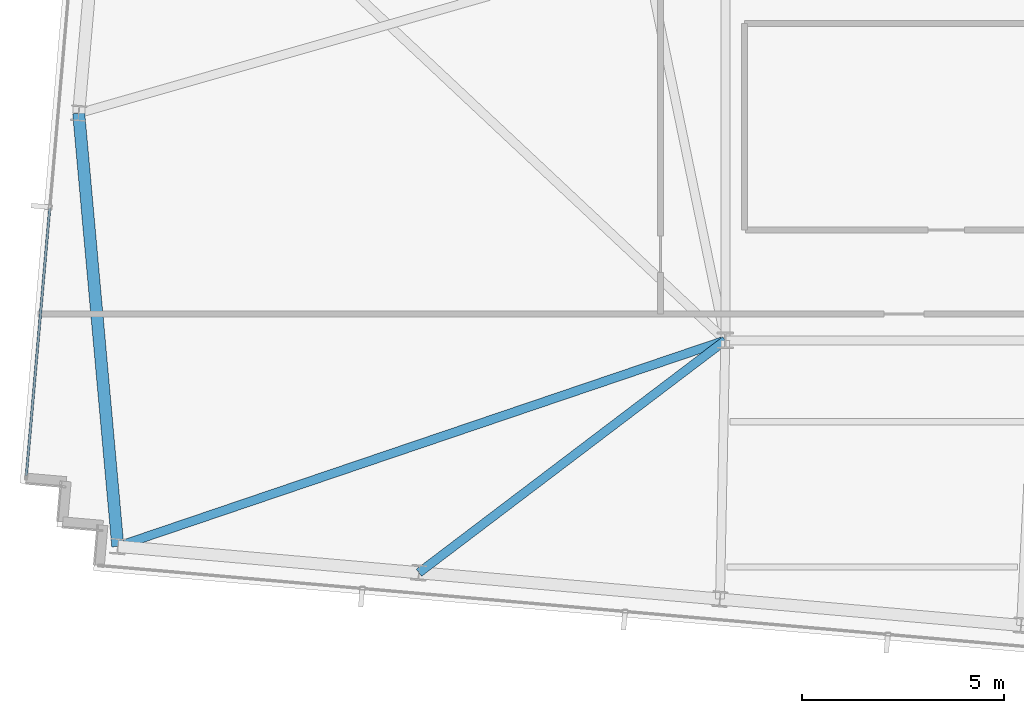
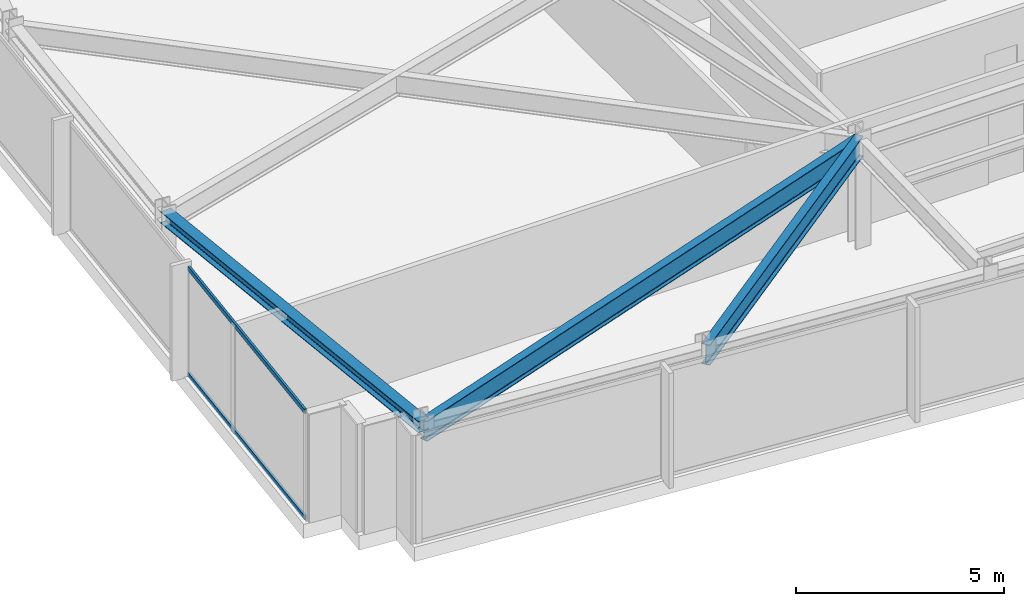
# One storey, part 4 of 32: 3 beams, 2 members, 1 element without a shape of its own.
"""IFC4 building model written with IfcOpenShell, lengths in metres."""

from ifc_helpers import new_model, si_unit, direction, frame, origin, origin_2d, place, context, subcontext, project, spatial, hollow_rectangle, i_section, extrude, material, material_profile, profile_set, type_object, element, aggregate, save


model = new_model("IFC4")

# Units and contexts
model_context = context("Model", 3, precision=1e-05, world=origin(), true_north=direction((0.0, 1.0)))
body_context = subcontext(model_context, "Body", "Model", "MODEL_VIEW")
ifc_project = project(units=[si_unit("LENGTHUNIT", "METRE"), si_unit("AREAUNIT", "SQUARE_METRE"), si_unit("VOLUMEUNIT", "CUBIC_METRE"), si_unit("PLANEANGLEUNIT", "RADIAN"), si_unit("MASSUNIT", "GRAM", prefix="KILO")], contexts=[model_context])

# Site, building, storey
site_placement = place(None, origin())
site = spatial("IfcSite", under=ifc_project, at=site_placement, CompositionType="ELEMENT")
building_placement = place(site_placement, origin())
building = spatial("IfcBuilding", under=site, at=building_placement, Name="Yelkora Congress Tower", CompositionType="ELEMENT")
storey_placement = place(building_placement, frame((0.0, 0.0, 259.10009765625)))
storey = spatial("IfcBuildingStorey", under=building, at=storey_placement, Name="L72", CompositionType="ELEMENT", Elevation=259.10009765625)

# Beams
ifc_material_1 = material(Name="Steel S355J2", Category="steel")
ifc_material_profile_1 = material_profile(ifc_material_1, i_section(OverallWidth=0.219970703125, OverallDepth=0.60009765625, WebThickness=0.011962890625, FlangeThickness=0.01904296875, FilletRadius=0.02392578125, at=origin_2d()), Name="IPE 600")
ifc_profile_set_1 = profile_set([ifc_material_profile_1], Name="Steel S355J2")
beam_type_1 = type_object("IfcBeamType", Name="BM-GIRD-IPE600", PredefinedType="BEAM", material=ifc_profile_set_1)
beam_1_placement = place(storey_placement, frame((7.998046875, 20.097900390625, 2.8798828125), z_axis=(0.947007090502, 0.321212656257, 0.0), x_axis=(-0.321212656257, 0.947007090502, 0.0)))
element("IfcBeam", 1, at=beam_1_placement, inside=storey, type_object=beam_type_1, Name="L72 Primary Frame Girder S01", PredefinedType="BEAM", context=body_context, shape_type="SweptSolid", body=[
    extrude(i_section(OverallWidth=0.219970703125, OverallDepth=0.60009765625, WebThickness=0.011962890625, FlangeThickness=0.01904296875, FilletRadius=0.02392578125, at=origin_2d()), origin(), (0.0, 0.0, 1.0), 15.8837890625),
])
beam_2_placement = place(storey_placement, frame((15.452880859375, 19.445556640625, 2.8798828125), z_axis=(0.79676107913, 0.6042944504, 0.0), x_axis=(-0.6042944504, 0.79676107913, 0.0)))
element("IfcBeam", 2, at=beam_2_placement, inside=storey, type_object=beam_type_1, Name="L72 Primary Frame Girder S02", PredefinedType="BEAM", context=body_context, shape_type="SweptSolid", body=[
    extrude(i_section(OverallWidth=0.219970703125, OverallDepth=0.60009765625, WebThickness=0.011962890625, FlangeThickness=0.01904296875, FilletRadius=0.02392578125, at=origin_2d()), origin(), (0.0, 0.0, 1.0), 9.5224609375),
])
ifc_material_profile_2 = material_profile(ifc_material_1, i_section(OverallWidth=0.300048828125, OverallDepth=0.340087890625, WebThickness=0.011962890625, FlangeThickness=0.021484375, FilletRadius=0.027099609375, at=origin_2d()), Name="HEB 340")
ifc_profile_set_2 = profile_set([ifc_material_profile_2], Name="Steel S355J2")
beam_type_2 = type_object("IfcBeamType", Name="BM-SPAN-HEB340", PredefinedType="SPANDREL", material=ifc_profile_set_2)
beam_3_placement = place(storey_placement, frame((7.029052734375, 30.822998046875, 3.010009765625), z_axis=(0.08998177561, -0.995943412076, 0.0), x_axis=(0.995943412076, 0.08998177561, 0.0)))
element("IfcBeam", 3, at=beam_3_placement, inside=storey, type_object=beam_type_2, Name="L72 Perimeter Beam 15", PredefinedType="SPANDREL", context=body_context, shape_type="SweptSolid", body=[
    extrude(i_section(OverallWidth=0.300048828125, OverallDepth=0.340087890625, WebThickness=0.011962890625, FlangeThickness=0.021484375, FilletRadius=0.027099609375, at=origin_2d()), origin(), (0.0, 0.0, 1.0), 10.768798828125),
])

# Curtain wall, members
ifc_material_2 = material(Name="Anodised aluminium and insulated glass", Category="aluminium")
curtain_wall_type = type_object("IfcCurtainWallType", Name="CW-SYS-B5", PredefinedType="NOTDEFINED", material=ifc_material_2)
curtain_wall_placement = place(storey_placement, origin())
curtain_wall = element("IfcCurtainWall", 4, at=curtain_wall_placement, inside=storey, type_object=curtain_wall_type, Name="L72 Unitised Curtain Wall 5", PredefinedType="NOTDEFINED")
ifc_material_3 = material(Name="Anodised aluminium 6063-T6", Category="aluminium")
ifc_material_profile_3 = material_profile(ifc_material_3, hollow_rectangle(XDim=0.06005859375, YDim=0.1298828125, WallThickness=0.00390625, at=origin_2d()), Name="ALU 60x130x4")
ifc_profile_set_3 = profile_set([ifc_material_profile_3], Name="Anodised aluminium 6063-T6")
member_type = type_object("IfcMemberType", Name="MEM-TR-B5", PredefinedType="USERDEFINED", material=ifc_profile_set_3)
member_1_placement = place(storey_placement, frame((5.732666015625, 21.85693359375, 0.02978515625), z_axis=(0.08716649365, 0.996193757451, 0.0), x_axis=(-0.996193757451, 0.08716649365, 0.0)))
member_1 = element("IfcMember", 5, at=member_1_placement, type_object=member_type, Name="CW-B5 transom 1.1", ObjectType="TRANSOM", PredefinedType="USERDEFINED", context=body_context, shape_type="SweptSolid", body=[
    extrude(hollow_rectangle(XDim=0.06005859375, YDim=0.1298828125, WallThickness=0.00390625, at=origin_2d()), origin(), (0.0, 0.0, 1.0), 6.63232421875),
])
member_2_placement = place(storey_placement, frame((5.732666015625, 21.85693359375, 3.14990234375), z_axis=(0.08716649365, 0.996193757451, 0.0), x_axis=(-0.996193757451, 0.08716649365, 0.0)))
member_2 = element("IfcMember", 6, at=member_2_placement, type_object=member_type, Name="CW-B5 transom 1.2", ObjectType="TRANSOM", PredefinedType="USERDEFINED", context=body_context, shape_type="SweptSolid", body=[
    extrude(hollow_rectangle(XDim=0.06005859375, YDim=0.1298828125, WallThickness=0.00390625, at=origin_2d()), origin(), (0.0, 0.0, 1.0), 6.63232421875),
])
aggregate(curtain_wall, [member_1, member_2])

save(model, "model.ifc")
